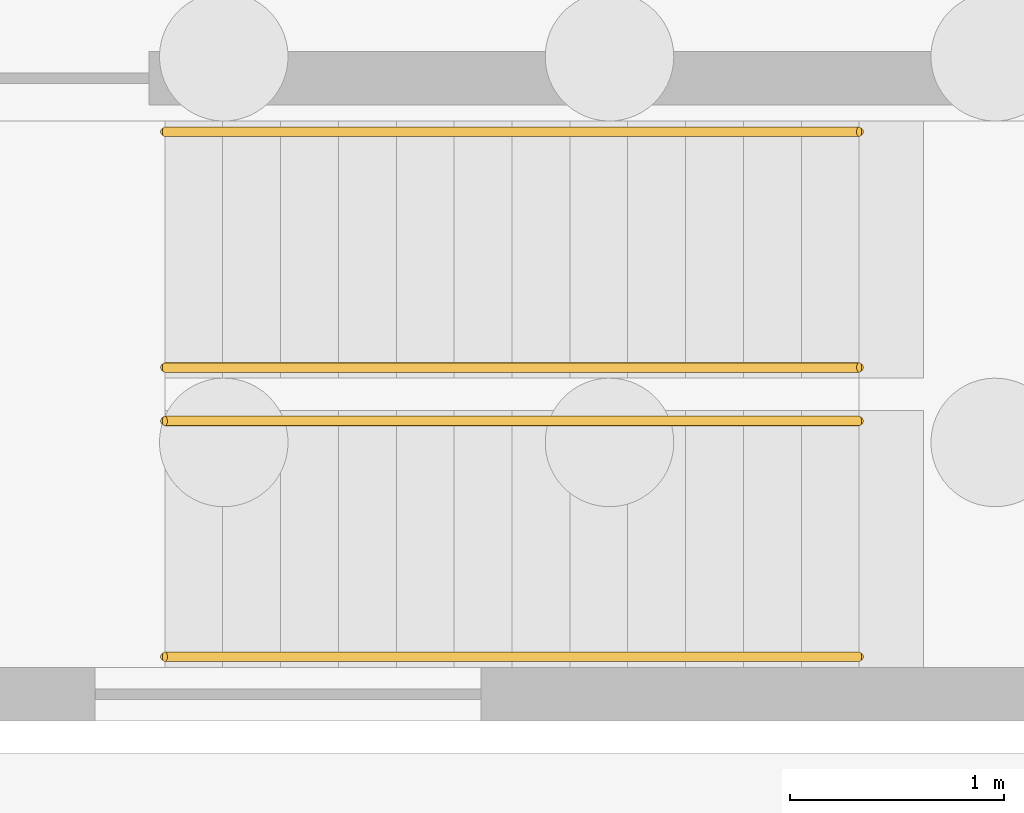
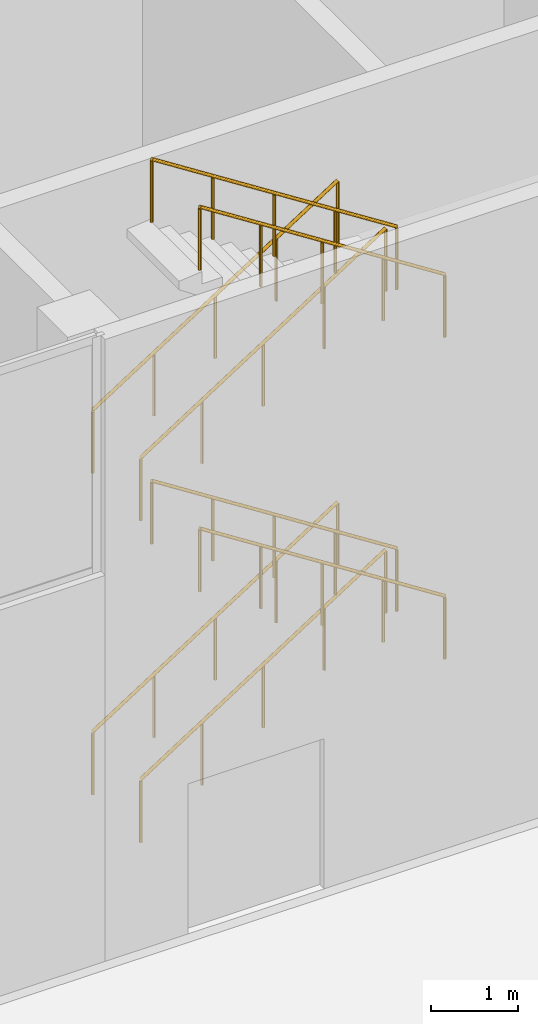
# One storey, part 38 of 46: 8 railings.
"""IFC4 building model written with IfcOpenShell, lengths in metres."""

import ifcopenshell
import ifcopenshell.guid

model = None  # the IFC model being written
_history = None  # IfcOwnerHistory: only IFC2X3 demands one
_inside = {}  # id of a spatial element -> (the spatial element, [elements in it])
_under = {}  # id of a project, library or spatial element -> (it, [spatial elements below it])
_declared = {}  # id of a project -> (the project, [libraries it declares])
_typed = {}  # id of a type object -> (the type object, [elements of that type])
_made_of = {}  # id of a material, layer set ... -> (it, [elements and type objects made of it])


def new_model(schema):
    """Start an empty IFC model of exactly this schema.

    Asked for "IFC4X3", IfcOpenShell would pick the latest addendum, in which some entities
    have other attributes; the version numbers below select the first issue.
    IFC2X3 requires an IfcOwnerHistory on every rooted entity: one is made here for all.
    """
    global model, _history
    if schema == "IFC4X3":
        model = ifcopenshell.file(schema_version=(4, 3, 0, 0))
    else:
        model = ifcopenshell.file(schema=schema)
    _inside.clear()
    _under.clear()
    _declared.clear()
    _typed.clear()
    _made_of.clear()
    _history = None
    if model.schema == "IFC2X3":
        org = make("IfcOrganization", Name="unknown")
        user = make(
            "IfcPersonAndOrganization",
            ThePerson=make("IfcPerson", FamilyName="unknown"),
            TheOrganization=org,
        )
        app = make(
            "IfcApplication",
            ApplicationDeveloper=org,
            Version="unknown",
            ApplicationFullName="unknown",
            ApplicationIdentifier="unknown",
        )
        _history = make(
            "IfcOwnerHistory",
            OwningUser=user,
            OwningApplication=app,
            ChangeAction="ADDED",
            CreationDate=0,
        )
    return model


def make(cls, **values):
    """One entity of the class cls with the attributes given. An attribute that is None is left unset."""
    return model.create_entity(
        cls, **{name: value for name, value in values.items() if value is not None}
    )


def rooted(cls, **values):
    """An entity with a GlobalId (a new one), such as an element, a storey or a relation."""
    return make(cls, GlobalId=ifcopenshell.guid.new(), OwnerHistory=_history, **values)


def si_unit(unit_type, name, prefix=None):
    """IfcSIUnit, for example si_unit("LENGTHUNIT", "METRE", prefix="MILLI")."""
    return make("IfcSIUnit", UnitType=unit_type, Prefix=prefix, Name=name)


def assignment(units):
    """IfcUnitAssignment: the units of a project."""
    return None if units is None else make("IfcUnitAssignment", Units=units)


def point(xyz):
    """IfcCartesianPoint."""
    return None if xyz is None else make("IfcCartesianPoint", Coordinates=xyz)


def direction(xyz):
    """IfcDirection."""
    return None if xyz is None else make("IfcDirection", DirectionRatios=xyz)


def frame(location, z_axis=None, x_axis=None):
    """IfcAxis2Placement3D, a coordinate frame: its origin and axes. An axis left out is left unset."""
    return make(
        "IfcAxis2Placement3D",
        Location=point(location),
        Axis=direction(z_axis),
        RefDirection=direction(x_axis),
    )


def frame_2d(location, x_axis=None):
    """IfcAxis2Placement2D, a coordinate frame in the plane: its origin and x axis."""
    return make(
        "IfcAxis2Placement2D", Location=point(location), RefDirection=direction(x_axis)
    )


def origin():
    """The frame at (0, 0, 0) with its axes left unset."""
    return frame((0.0, 0.0, 0.0))


def origin_2d():
    """The frame at (0, 0) in the plane with its x axis left unset."""
    return frame_2d((0.0, 0.0))


def place(relative_to, where):
    """IfcLocalPlacement: puts the frame where relative to a parent placement (None: the world)."""
    return make(
        "IfcLocalPlacement", PlacementRelTo=relative_to, RelativePlacement=where
    )


def context(
    kind, dimensions, precision=None, world=None, true_north=None, identifier=None
):
    """IfcGeometricRepresentationContext, for example the 3D "Model" context."""
    return make(
        "IfcGeometricRepresentationContext",
        ContextIdentifier=identifier,
        ContextType=kind,
        CoordinateSpaceDimension=dimensions,
        Precision=precision,
        WorldCoordinateSystem=world,
        TrueNorth=true_north,
    )


def subcontext(parent, identifier, kind, view, scale=None):
    """IfcGeometricRepresentationSubContext, for example "Body" below "Model"."""
    return make(
        "IfcGeometricRepresentationSubContext",
        ContextIdentifier=identifier,
        ContextType=kind,
        ParentContext=parent,
        TargetScale=scale,
        TargetView=view,
    )


def project(units=None, contexts=None):
    """IfcProject with its units and contexts."""
    return rooted(
        "IfcProject",
        Name="project",
        RepresentationContexts=contexts,
        UnitsInContext=assignment(units),
    )


def spatial(cls, under=None, at=None, **own):
    """A site, building, storey or space (cls), placed at a placement, below another one or the project."""
    s = rooted(cls, ObjectPlacement=at, **own)
    if under is not None:
        _under.setdefault(under.id(), (under, []))[1].append(s)
    return s


def profile(cls, at=None, kind="AREA", **sizes):
    """A parametric profile (cls). Its sizes go by their IFC names, for example OverallWidth=200.0."""
    return make(cls, ProfileType=kind, Position=at, **sizes)


def circle(**sizes):
    """IfcCircleProfileDef."""
    return profile("IfcCircleProfileDef", **sizes)


def extrude(swept, where, along, depth):
    """IfcExtrudedAreaSolid: the profile swept, set in the frame where, extruded along a direction by depth."""
    return make(
        "IfcExtrudedAreaSolid",
        SweptArea=swept,
        Position=where,
        ExtrudedDirection=direction(along),
        Depth=depth,
    )


def shape(context_of_items, identifier, shape_type, items):
    """IfcShapeRepresentation: the items that make up one representation, for example the "Body"."""
    return make(
        "IfcShapeRepresentation",
        ContextOfItems=context_of_items,
        RepresentationIdentifier=identifier,
        RepresentationType=shape_type,
        Items=items,
    )


def material(Name=None, Category=None):
    """IfcMaterial."""
    return make("IfcMaterial", Name=Name, Category=Category)


def made_of(thing, what):
    """Note that an element or type object is made of a material, layer set ...; save() writes the relation."""
    if what is not None:
        _made_of.setdefault(what.id(), (what, []))[1].append(thing)
    return thing


def type_object(cls, material=None, **own):
    """A type object (cls), such as IfcWallType, which elements share."""
    return made_of(rooted(cls, **own), material)


def element(
    cls,
    number,
    at=None,
    inside=None,
    cuts=None,
    type_object=None,
    material=None,
    context=None,
    identifier="Body",
    shape_type=None,
    held_by="IfcProductDefinitionShape",
    body=None,
    shapes=None,
    **own,
):
    """One element of the class cls, such as IfcWall. Its Tag is "e" and its number.

    at: its placement. inside: the storey or other place that contains it. cuts: it is an
    opening in that element (IfcRelVoidsElement). A single representation is given by context,
    identifier, shape_type and body (its items); several are given by shapes. held_by: the class
    of the entity that holds the representations. save() writes the other relations.
    """
    e = rooted(cls, Tag="e%d" % number, ObjectPlacement=at, **own)
    if body is not None:
        shapes = [shape(context, identifier, shape_type, body)]
    if shapes is not None:
        e.Representation = make(held_by, Representations=shapes)
    if inside is not None:
        _inside.setdefault(inside.id(), (inside, []))[1].append(e)
    if cuts is not None:
        rooted(
            "IfcRelVoidsElement", RelatingBuildingElement=cuts, RelatedOpeningElement=e
        )
    if type_object is not None:
        _typed.setdefault(type_object.id(), (type_object, []))[1].append(e)
    return made_of(e, material)


def aggregate(whole, parts):
    """IfcRelAggregates: a whole, such as a stair, and the parts it consists of."""
    return rooted("IfcRelAggregates", RelatingObject=whole, RelatedObjects=parts)


def save(model, path):
    """Write the relations noted so far, then the file.

    IfcRelAggregates (storeys below a building ...), IfcRelContainedInSpatialStructure (elements
    in a storey), IfcRelDefinesByType, IfcRelAssociatesMaterial and IfcRelDeclares: one each for
    every whole, place, type object, material and project.
    """
    for whole, parts in _under.values():
        aggregate(whole, parts)
    for where, things in _inside.values():
        rooted(
            "IfcRelContainedInSpatialStructure",
            RelatedElements=things,
            RelatingStructure=where,
        )
    for kind, things in _typed.values():
        rooted("IfcRelDefinesByType", RelatedObjects=things, RelatingType=kind)
    for what, things in _made_of.values():
        rooted("IfcRelAssociatesMaterial", RelatedObjects=things, RelatingMaterial=what)
    for by, libraries in _declared.values():
        rooted("IfcRelDeclares", RelatingContext=by, RelatedDefinitions=libraries)
    model.write(path)


model = new_model("IFC4")

# Units and contexts
model_context = context("Model", 3, precision=1e-05, world=origin(), true_north=direction((0.0, 1.0)))
body_context = subcontext(model_context, "Body", "Model", "MODEL_VIEW")
ifc_project = project(units=[si_unit("LENGTHUNIT", "METRE"), si_unit("AREAUNIT", "SQUARE_METRE"), si_unit("VOLUMEUNIT", "CUBIC_METRE"), si_unit("PLANEANGLEUNIT", "RADIAN"), si_unit("MASSUNIT", "GRAM", prefix="KILO")], contexts=[model_context])

# Site, building, storey
site_placement = place(None, origin())
site = spatial("IfcSite", under=ifc_project, at=site_placement, CompositionType="ELEMENT")
building_placement = place(site_placement, origin())
building = spatial("IfcBuilding", under=site, at=building_placement, Name="Vermilion Gate Residences", CompositionType="ELEMENT")
storey_placement = place(building_placement, origin())
storey = spatial("IfcBuildingStorey", under=building, at=storey_placement, Name="L00", CompositionType="ELEMENT", Elevation=0.0)

# Railings
ifc_material = material(Name="Steel", Category="steel")
railing_type = type_object("IfcRailingType", Name="STEEL HANDRAIL 900 (MARKET HALL)", PredefinedType="HANDRAIL", material=ifc_material)
for number, where, name in (
    (1, (110.925048828125, 2.75, 0.173095703125), "Stair handrail STH2-00-1a"),
    (2, (110.925048828125, 1.64990234375, 0.173095703125), "Stair handrail STH2-00-1b"),
):
    element("IfcRailing", number, at=place(storey_placement, frame(where)), inside=storey, type_object=railing_type, Name=name, PredefinedType="HANDRAIL", context=body_context, shape_type="SweptSolid", body=[
        extrude(circle(Radius=0.0224609375, at=origin_2d()), frame((0.0, 0.0, 0.87744140625), z_axis=(0.841880617004, 0.0, 0.539663808971), x_axis=(0.0, 1.0, 0.0)), (0.0, 0.0, 1.0), 3.8486328125),
        extrude(circle(Radius=0.02001953125, at=origin_2d()), origin(), (0.0, 0.0, 1.0), 0.85498046875),
        extrude(circle(Radius=0.02001953125, at=origin_2d()), frame((0.81005859375, 0.0, 0.519287109375)), (0.0, 0.0, 1.0), 0.85498046875),
        extrude(circle(Radius=0.02001953125, at=origin_2d()), frame((1.6201171875, 0.0, 1.03857421875)), (0.0, 0.0, 1.0), 0.85498046875),
        extrude(circle(Radius=0.02001953125, at=origin_2d()), frame((2.429931640625, 0.0, 1.5576171875)), (0.0, 0.0, 1.0), 0.85498046875),
        extrude(circle(Radius=0.02001953125, at=origin_2d()), frame((3.239990234375, 0.0, 2.076904296875)), (0.0, 0.0, 1.0), 0.85498046875),
    ])
for number, where, name in (
    (3, (114.1650390625, 1.39990234375, 2.423095703125), "Stair handrail STH2-00-2a"),
    (4, (114.1650390625, 0.300048828125, 2.423095703125), "Stair handrail STH2-00-2b"),
):
    element("IfcRailing", number, at=place(storey_placement, frame(where)), inside=storey, type_object=railing_type, Name=name, PredefinedType="HANDRAIL", context=body_context, shape_type="SweptSolid", body=[
        extrude(circle(Radius=0.0224609375, at=origin_2d()), frame((0.0, 0.0, 0.87744140625), z_axis=(-0.841880617004, 0.0, 0.539663808971), x_axis=(0.0, -1.0, 0.0)), (0.0, 0.0, 1.0), 3.8486328125),
        extrude(circle(Radius=0.02001953125, at=origin_2d()), origin(), (0.0, 0.0, 1.0), 0.85498046875),
        extrude(circle(Radius=0.02001953125, at=origin_2d()), frame((-0.81005859375, 0.0, 0.519287109375)), (0.0, 0.0, 1.0), 0.85498046875),
        extrude(circle(Radius=0.02001953125, at=origin_2d()), frame((-1.6201171875, 0.0, 1.03857421875)), (0.0, 0.0, 1.0), 0.85498046875),
        extrude(circle(Radius=0.02001953125, at=origin_2d()), frame((-2.429931640625, 0.0, 1.5576171875)), (0.0, 0.0, 1.0), 0.85498046875),
        extrude(circle(Radius=0.02001953125, at=origin_2d()), frame((-3.239990234375, 0.0, 2.076904296875)), (0.0, 0.0, 1.0), 0.85498046875),
    ])
for number, where, name in (
    (5, (110.925048828125, 2.75, 4.673095703125), "Stair handrail STH2-00-3a"),
    (6, (110.925048828125, 1.64990234375, 4.673095703125), "Stair handrail STH2-00-3b"),
):
    element("IfcRailing", number, at=place(storey_placement, frame(where)), inside=storey, type_object=railing_type, Name=name, PredefinedType="HANDRAIL", context=body_context, shape_type="SweptSolid", body=[
        extrude(circle(Radius=0.0224609375, at=origin_2d()), frame((0.0, 0.0, 0.87744140625), z_axis=(0.841880617004, 0.0, 0.539663808971), x_axis=(0.0, 1.0, 0.0)), (0.0, 0.0, 1.0), 3.8486328125),
        extrude(circle(Radius=0.02001953125, at=origin_2d()), origin(), (0.0, 0.0, 1.0), 0.85498046875),
        extrude(circle(Radius=0.02001953125, at=origin_2d()), frame((0.81005859375, 0.0, 0.519287109375)), (0.0, 0.0, 1.0), 0.85498046875),
        extrude(circle(Radius=0.02001953125, at=origin_2d()), frame((1.6201171875, 0.0, 1.03857421875)), (0.0, 0.0, 1.0), 0.85498046875),
        extrude(circle(Radius=0.02001953125, at=origin_2d()), frame((2.429931640625, 0.0, 1.5576171875)), (0.0, 0.0, 1.0), 0.85498046875),
        extrude(circle(Radius=0.02001953125, at=origin_2d()), frame((3.239990234375, 0.0, 2.076904296875)), (0.0, 0.0, 1.0), 0.85498046875),
    ])
for number, where, name in (
    (7, (114.1650390625, 1.39990234375, 6.923095703125), "Stair handrail STH2-00-4a"),
    (8, (114.1650390625, 0.300048828125, 6.923095703125), "Stair handrail STH2-00-4b"),
):
    element("IfcRailing", number, at=place(storey_placement, frame(where)), inside=storey, type_object=railing_type, Name=name, PredefinedType="HANDRAIL", context=body_context, shape_type="SweptSolid", body=[
        extrude(circle(Radius=0.0224609375, at=origin_2d()), frame((0.0, 0.0, 0.87744140625), z_axis=(-0.841880617004, 0.0, 0.539663808971), x_axis=(0.0, -1.0, 0.0)), (0.0, 0.0, 1.0), 3.8486328125),
        extrude(circle(Radius=0.02001953125, at=origin_2d()), origin(), (0.0, 0.0, 1.0), 0.85498046875),
        extrude(circle(Radius=0.02001953125, at=origin_2d()), frame((-0.81005859375, 0.0, 0.519287109375)), (0.0, 0.0, 1.0), 0.85498046875),
        extrude(circle(Radius=0.02001953125, at=origin_2d()), frame((-1.6201171875, 0.0, 1.03857421875)), (0.0, 0.0, 1.0), 0.85498046875),
        extrude(circle(Radius=0.02001953125, at=origin_2d()), frame((-2.429931640625, 0.0, 1.5576171875)), (0.0, 0.0, 1.0), 0.85498046875),
        extrude(circle(Radius=0.02001953125, at=origin_2d()), frame((-3.239990234375, 0.0, 2.076904296875)), (0.0, 0.0, 1.0), 0.85498046875),
    ])

save(model, "model.ifc")
